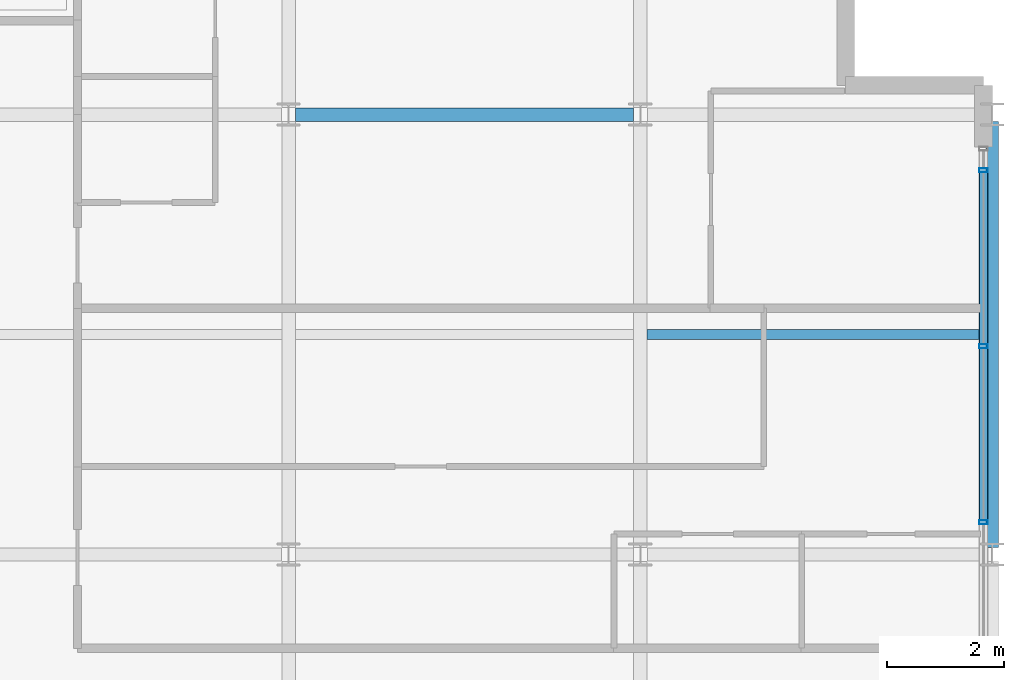
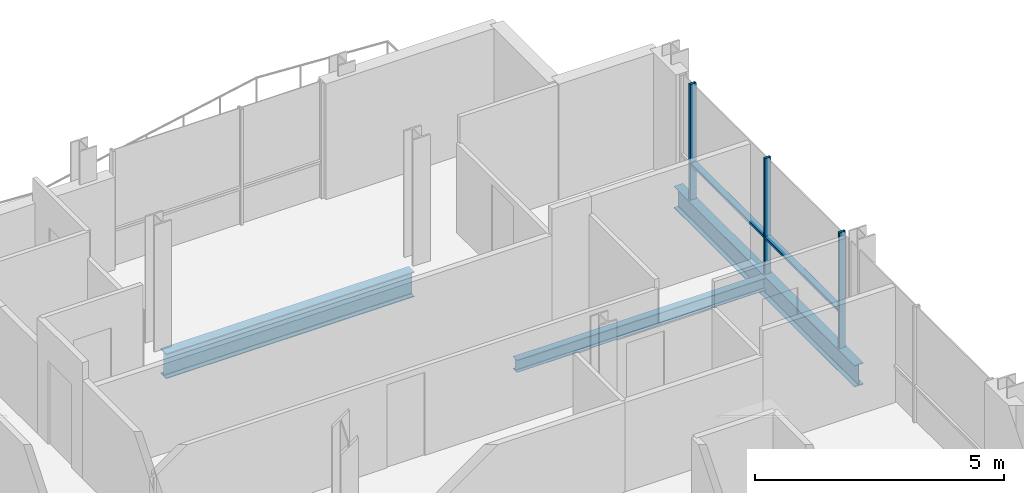
# One storey, part 22 of 36: 5 members, 3 beams, 1 element without a shape of its own.
"""IFC4 building model written with IfcOpenShell, lengths in metres."""

from ifc_helpers import new_model, si_unit, direction, frame, origin, origin_2d, place, context, subcontext, project, spatial, hollow_rectangle, i_section, extrude, material, layer, layer_set, material_profile, profile_set, type_object, element, aggregate, save


model = new_model("IFC4")

# Units and contexts
model_context = context("Model", 3, precision=1e-05, world=origin(), true_north=direction((0.0, 1.0)))
body_context = subcontext(model_context, "Body", "Model", "MODEL_VIEW")
ifc_project = project(units=[si_unit("LENGTHUNIT", "METRE"), si_unit("AREAUNIT", "SQUARE_METRE"), si_unit("VOLUMEUNIT", "CUBIC_METRE"), si_unit("PLANEANGLEUNIT", "RADIAN"), si_unit("MASSUNIT", "GRAM", prefix="KILO")], contexts=[model_context])

# Site, building, storey
site_placement = place(None, origin())
site = spatial("IfcSite", under=ifc_project, at=site_placement, CompositionType="ELEMENT")
building_placement = place(site_placement, origin())
building = spatial("IfcBuilding", under=site, at=building_placement, Name="Brevholm Reach", CompositionType="ELEMENT")
storey_placement = place(building_placement, frame((0.0, 0.0, 175.89990234375)))
storey = spatial("IfcBuildingStorey", under=building, at=storey_placement, Name="L53", CompositionType="ELEMENT", Elevation=175.89990234375)

# Beams
ifc_material_1 = material(Name="Structural Steel S355J2", Category="steel")
ifc_material_profile_1 = material_profile(ifc_material_1, i_section(OverallWidth=0.1650390625, OverallDepth=0.303466796875, WebThickness=0.006103515625, FlangeThickness=0.01025390625, FilletRadius=0.0087890625, at=origin_2d()), Name="UKB 305x165x40")
ifc_profile_set_1 = profile_set([ifc_material_profile_1], Name="Structural Steel S355J2")
beam_type_1 = type_object("IfcBeamType", Name="BM-B305", PredefinedType="BEAM", material=ifc_profile_set_1)
beam_1_placement = place(storey_placement, frame((54.114501953125, 19.75, -0.361572265625), z_axis=(1.0, 0.0, 0.0), x_axis=(0.0, 1.0, 0.0)))
element("IfcBeam", 1, at=beam_1_placement, inside=storey, type_object=beam_type_1, Name="L53 Composite Secondary Floor Beam", PredefinedType="BEAM", context=body_context, shape_type="SweptSolid", body=[
    extrude(i_section(OverallWidth=0.1650390625, OverallDepth=0.303466796875, WebThickness=0.006103515625, FlangeThickness=0.01025390625, FilletRadius=0.0087890625, at=origin_2d()), origin(), (0.0, 0.0, 1.0), 5.78076171875),
])
ifc_material_2 = material(Name="Structural Steel S355J2", Category="steel")
ifc_material_profile_2 = material_profile(ifc_material_2, i_section(OverallWidth=0.209228515625, OverallDepth=0.533203125, WebThickness=0.010009765625, FlangeThickness=0.015625, FilletRadius=0.0126953125, at=origin_2d()), Name="UKB 533x210x92")
ifc_profile_set_2 = profile_set([ifc_material_profile_2], Name="Structural Steel S355J2")
beam_type_2 = type_object("IfcBeamType", Name="BM-SP533", PredefinedType="SPANDREL", material=ifc_profile_set_2)
beam_2_placement = place(storey_placement, frame((60.0, 16.1201171875, -0.4765625), z_axis=(0.0, 1.0, 0.0), x_axis=(-1.0, 0.0, 0.0)))
element("IfcBeam", 2, at=beam_2_placement, inside=storey, type_object=beam_type_2, Name="L53 SP-02 Framing Beam", PredefinedType="SPANDREL", context=body_context, shape_type="SweptSolid", body=[
    extrude(i_section(OverallWidth=0.209228515625, OverallDepth=0.533203125, WebThickness=0.010009765625, FlangeThickness=0.015625, FilletRadius=0.0126953125, at=origin_2d()), origin(), (0.0, 0.0, 1.0), 7.259765625),
])
ifc_material_3 = material(Name="Structural Steel S355J2", Category="steel")
ifc_material_profile_3 = material_profile(ifc_material_3, i_section(OverallWidth=0.22900390625, OverallDepth=0.6123046875, WebThickness=0.011962890625, FlangeThickness=0.01953125, FilletRadius=0.0126953125, at=origin_2d()), Name="UKB 610x229x125")
ifc_profile_set_3 = profile_set([ifc_material_profile_3], Name="Structural Steel S355J2")
beam_type_3 = type_object("IfcBeamType", Name="BM-SP610", PredefinedType="SPANDREL", material=ifc_profile_set_3)
beam_3_placement = place(storey_placement, frame((48.1201171875, 23.5, -0.51611328125), z_axis=(1.0, 0.0, 0.0), x_axis=(0.0, 1.0, 0.0)))
element("IfcBeam", 3, at=beam_3_placement, inside=storey, type_object=beam_type_3, Name="L53 SP-01 Framing Beam", PredefinedType="SPANDREL", context=body_context, shape_type="SweptSolid", body=[
    extrude(i_section(OverallWidth=0.22900390625, OverallDepth=0.6123046875, WebThickness=0.011962890625, FlangeThickness=0.01953125, FilletRadius=0.0126953125, at=origin_2d()), origin(), (0.0, 0.0, 1.0), 5.759765625),
])

# Curtain wall, members
ifc_material_4 = material(Name="Dark Anodised Aluminium 6063-T6 and Solar-Control Glass", Category="aluminium")
ifc_layer = layer(ifc_material_4, 0.14990234375)
ifc_layer_set = layer_set([ifc_layer], Name="Dark Anodised Aluminium 6063-T6 and Solar-Control Glass")
curtain_wall_type = type_object("IfcCurtainWallType", Name="CW-01", PredefinedType="NOTDEFINED", material=ifc_layer_set)
curtain_wall_placement = place(storey_placement, origin())
curtain_wall = element("IfcCurtainWall", 4, at=curtain_wall_placement, inside=storey, type_object=curtain_wall_type, Name="L53 Curtain Wall CW-01", PredefinedType="NOTDEFINED")
ifc_material_5 = material(Name="Dark Anodised Aluminium 6063-T6", Category="aluminium")
ifc_material_profile_4 = material_profile(ifc_material_5, hollow_rectangle(XDim=0.06494140625, YDim=0.14990234375, WallThickness=0.0048828125, InnerFilletRadius=0.0048828125, OuterFilletRadius=0.010009765625, at=origin_2d()), Name="RHS 150x65x5")
ifc_profile_set_4 = profile_set([ifc_material_profile_4], Name="Dark Anodised Aluminium 6063-T6")
member_type_1 = type_object("IfcMemberType", Name="CWM-150", PredefinedType="MULLION", material=ifc_profile_set_4)
member_1_placement = place(storey_placement, frame((59.85009765625, 16.550048828125, 0.0), z_axis=(0.0, 0.0, 1.0), x_axis=(0.0, 1.0, 0.0)))
member_1 = element("IfcMember", 5, at=member_1_placement, type_object=member_type_1, Name="CM-150 Mullion 3", PredefinedType="MULLION", context=body_context, shape_type="SweptSolid", body=[
    extrude(hollow_rectangle(XDim=0.06494140625, YDim=0.14990234375, WallThickness=0.0048828125, InnerFilletRadius=0.0048828125, OuterFilletRadius=0.010009765625, at=origin_2d()), origin(), (0.0, 0.0, 1.0), 2.840087890625),
])
member_2_placement = place(storey_placement, frame((59.85009765625, 19.550048828125, 0.0), z_axis=(0.0, 0.0, 1.0), x_axis=(0.0, 1.0, 0.0)))
member_2 = element("IfcMember", 6, at=member_2_placement, type_object=member_type_1, Name="CM-150 Mullion 4", PredefinedType="MULLION", context=body_context, shape_type="SweptSolid", body=[
    extrude(hollow_rectangle(XDim=0.06494140625, YDim=0.14990234375, WallThickness=0.0048828125, InnerFilletRadius=0.0048828125, OuterFilletRadius=0.010009765625, at=origin_2d()), origin(), (0.0, 0.0, 1.0), 2.840087890625),
])
member_3_placement = place(storey_placement, frame((59.85009765625, 22.550048828125, 0.0), z_axis=(0.0, 0.0, 1.0), x_axis=(0.0, 1.0, 0.0)))
member_3 = element("IfcMember", 7, at=member_3_placement, type_object=member_type_1, Name="CM-150 Mullion 5", PredefinedType="MULLION", context=body_context, shape_type="SweptSolid", body=[
    extrude(hollow_rectangle(XDim=0.06494140625, YDim=0.14990234375, WallThickness=0.0048828125, InnerFilletRadius=0.0048828125, OuterFilletRadius=0.010009765625, at=origin_2d()), origin(), (0.0, 0.0, 1.0), 2.840087890625),
])
ifc_material_6 = material(Name="Dark Anodised Aluminium 6063-T6", Category="aluminium")
ifc_material_profile_5 = material_profile(ifc_material_6, hollow_rectangle(XDim=0.06494140625, YDim=0.14990234375, WallThickness=0.0048828125, InnerFilletRadius=0.0048828125, OuterFilletRadius=0.010009765625, at=origin_2d()), Name="RHS 150x65x5")
ifc_profile_set_5 = profile_set([ifc_material_profile_5], Name="Dark Anodised Aluminium 6063-T6")
member_type_2 = type_object("IfcMemberType", Name="CWT-150", PredefinedType="NOTDEFINED", material=ifc_profile_set_5)
member_4_placement = place(storey_placement, frame((59.85009765625, 16.58251953125, 0.900146484375), z_axis=(0.0, 1.0, 0.0), x_axis=(0.0, 0.0, 1.0)))
member_4 = element("IfcMember", 8, at=member_4_placement, type_object=member_type_2, Name="CT-150 Transom 3.1", ObjectType="TRANSOM", PredefinedType="USERDEFINED", context=body_context, shape_type="SweptSolid", body=[
    extrude(hollow_rectangle(XDim=0.06494140625, YDim=0.14990234375, WallThickness=0.0048828125, InnerFilletRadius=0.0048828125, OuterFilletRadius=0.010009765625, at=origin_2d()), origin(), (0.0, 0.0, 1.0), 2.93505859375),
])
member_5_placement = place(storey_placement, frame((59.85009765625, 19.58251953125, 0.900146484375), z_axis=(0.0, 1.0, 0.0), x_axis=(0.0, 0.0, 1.0)))
member_5 = element("IfcMember", 9, at=member_5_placement, type_object=member_type_2, Name="CT-150 Transom 4.1", ObjectType="TRANSOM", PredefinedType="USERDEFINED", context=body_context, shape_type="SweptSolid", body=[
    extrude(hollow_rectangle(XDim=0.06494140625, YDim=0.14990234375, WallThickness=0.0048828125, InnerFilletRadius=0.0048828125, OuterFilletRadius=0.010009765625, at=origin_2d()), origin(), (0.0, 0.0, 1.0), 2.93505859375),
])
aggregate(curtain_wall, [member_1, member_2, member_3, member_4, member_5])

save(model, "model.ifc")
